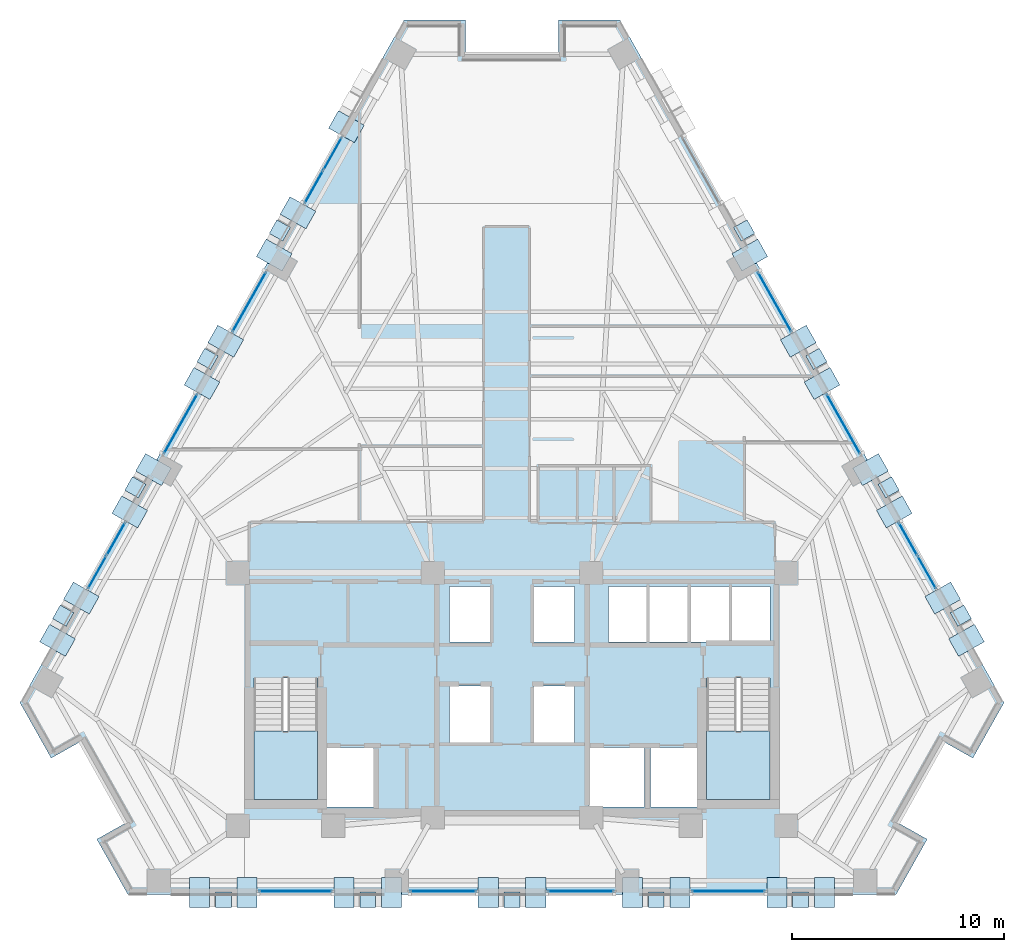
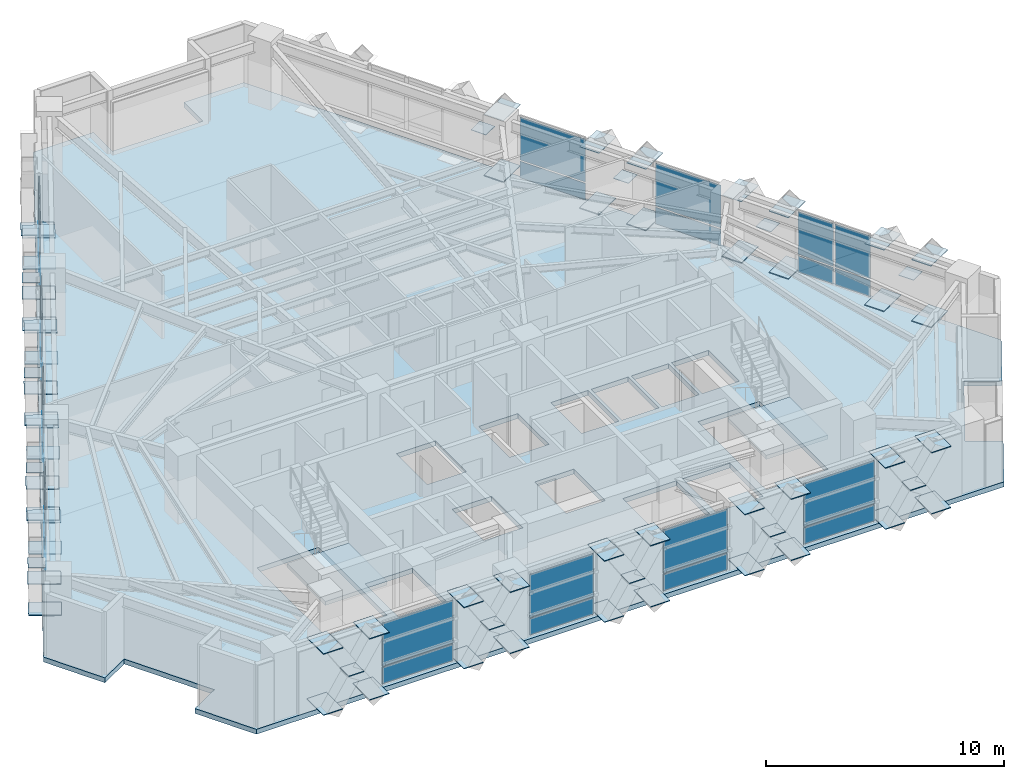
# One storey, part 6 of 14: 92 plates, 3 slabs, 13 elements without a shape of their own.
"""IFC4 building model written with IfcOpenShell, lengths in metres."""

from ifc_helpers import new_model, si_unit, direction, frame, origin, origin_2d, place, context, subcontext, project, spatial, polyline, rectangle, outline, extrude, material, layer, layer_set, type_object, element, aggregate, save


model = new_model("IFC4")

# Units and contexts
model_context = context("Model", 3, precision=1e-05, world=origin(), true_north=direction((0.0, 1.0)))
body_context = subcontext(model_context, "Body", "Model", "MODEL_VIEW")
ifc_project = project(units=[si_unit("LENGTHUNIT", "METRE"), si_unit("AREAUNIT", "SQUARE_METRE"), si_unit("VOLUMEUNIT", "CUBIC_METRE"), si_unit("PLANEANGLEUNIT", "RADIAN"), si_unit("MASSUNIT", "GRAM", prefix="KILO")], contexts=[model_context])

# Site, building, storey
site_placement = place(None, origin())
site = spatial("IfcSite", under=ifc_project, at=site_placement, CompositionType="ELEMENT")
building_placement = place(site_placement, origin())
building = spatial("IfcBuilding", under=site, at=building_placement, Name="Quenlor Broadcast Tower", CompositionType="ELEMENT")
storey_placement = place(building_placement, frame((0.0, 0.0, 102.0)))
storey = spatial("IfcBuildingStorey", under=building, at=storey_placement, Name="L27", CompositionType="ELEMENT", Elevation=102.0)

# Curtain wall, plates
ifc_material_1 = material(Name="Architectural Terracotta and Low-E Glazing", Category="masonry")
curtain_wall_type = type_object("IfcCurtainWallType", Name="Unitised Terracotta Curtain Wall System Z2", PredefinedType="NOTDEFINED", material=ifc_material_1)
curtain_wall_1_placement = place(storey_placement, origin())
curtain_wall_1 = element("IfcCurtainWall", 1, at=curtain_wall_1_placement, inside=storey, type_object=curtain_wall_type, Name="L27 Curtain Wall CW2 (L27-SA-G1)", PredefinedType="NOTDEFINED")
ifc_material_2 = material(Name="Double Glazed Low-E Solar Glass", Category="glass")
ifc_layer_1 = layer(ifc_material_2, 0.030029296875)
ifc_layer_set_1 = layer_set([ifc_layer_1], Name="CW2 Double Glazed Vision Panel 30")
plate_type_1 = type_object("IfcPlateType", Name="CW2 Double Glazed Vision Panel 30", PredefinedType="CURTAIN_PANEL", material=ifc_layer_set_1)
plate_1_placement = place(storey_placement, frame((10.226318359375, -19.840087890625, 0.074951171875), z_axis=(0.0, 0.0, 1.0), x_axis=(-1.0, 0.0, 0.0)))
plate_1 = element("IfcPlate", 2, at=plate_1_placement, type_object=plate_type_1, Name="CW2 panel 1.1", PredefinedType="CURTAIN_PANEL", context=body_context, shape_type="SweptSolid", body=[
    extrude(rectangle(XDim=3.435546875, YDim=0.030029296875, at=origin_2d()), origin(), (0.0, 0.0, 1.0), 0.83740234375),
])
plate_2_placement = place(storey_placement, frame((10.226318359375, -19.840087890625, 0.987548828125), z_axis=(0.0, 0.0, 1.0), x_axis=(-1.0, 0.0, 0.0)))
plate_2 = element("IfcPlate", 3, at=plate_2_placement, type_object=plate_type_1, Name="CW2 panel 1.2", PredefinedType="CURTAIN_PANEL", context=body_context, shape_type="SweptSolid", body=[
    extrude(rectangle(XDim=3.435546875, YDim=0.030029296875, at=origin_2d()), origin(), (0.0, 0.0, 1.0), 2.1875),
])
aggregate(curtain_wall_1, [plate_1, plate_2])

curtain_wall_2_placement = place(storey_placement, origin())
curtain_wall_2 = element("IfcCurtainWall", 4, at=curtain_wall_2_placement, inside=storey, type_object=curtain_wall_type, Name="L27 Curtain Wall CW2 (L27-SC-G1)", PredefinedType="NOTDEFINED")
plate_3_placement = place(storey_placement, frame((-10.226318359375, -19.840087890625, 0.074951171875), z_axis=(0.0, 0.0, 1.0), x_axis=(-1.0, 0.0, 0.0)))
plate_3 = element("IfcPlate", 5, at=plate_3_placement, type_object=plate_type_1, Name="CW2 panel 1.1", PredefinedType="CURTAIN_PANEL", context=body_context, shape_type="SweptSolid", body=[
    extrude(rectangle(XDim=3.435546875, YDim=0.030029296875, at=origin_2d()), origin(), (0.0, 0.0, 1.0), 0.83740234375),
])
plate_4_placement = place(storey_placement, frame((-10.226318359375, -19.840087890625, 0.987548828125), z_axis=(0.0, 0.0, 1.0), x_axis=(-1.0, 0.0, 0.0)))
plate_4 = element("IfcPlate", 6, at=plate_4_placement, type_object=plate_type_1, Name="CW2 panel 1.2", PredefinedType="CURTAIN_PANEL", context=body_context, shape_type="SweptSolid", body=[
    extrude(rectangle(XDim=3.435546875, YDim=0.030029296875, at=origin_2d()), origin(), (0.0, 0.0, 1.0), 2.1875),
])
aggregate(curtain_wall_2, [plate_3, plate_4])

curtain_wall_3_placement = place(storey_placement, origin())
curtain_wall_3 = element("IfcCurtainWall", 7, at=curtain_wall_3_placement, inside=storey, type_object=curtain_wall_type, Name="L27 Curtain Wall CW2 (L27-S-G1)", PredefinedType="NOTDEFINED")
plate_5_placement = place(storey_placement, frame((3.24462890625, -19.840087890625, 0.074951171875), z_axis=(0.0, 0.0, 1.0), x_axis=(-1.0, 0.0, 0.0)))
plate_5 = element("IfcPlate", 8, at=plate_5_placement, type_object=plate_type_1, Name="CW2 panel 1.1", PredefinedType="CURTAIN_PANEL", context=body_context, shape_type="SweptSolid", body=[
    extrude(rectangle(XDim=3.107177734375, YDim=0.030029296875, at=origin_2d()), origin(), (0.0, 0.0, 1.0), 0.83740234375),
])
plate_6_placement = place(storey_placement, frame((3.24462890625, -19.840087890625, 0.987548828125), z_axis=(0.0, 0.0, 1.0), x_axis=(-1.0, 0.0, 0.0)))
plate_6 = element("IfcPlate", 9, at=plate_6_placement, type_object=plate_type_1, Name="CW2 panel 1.2", PredefinedType="CURTAIN_PANEL", context=body_context, shape_type="SweptSolid", body=[
    extrude(rectangle(XDim=3.107177734375, YDim=0.030029296875, at=origin_2d()), origin(), (0.0, 0.0, 1.0), 2.1875),
])
aggregate(curtain_wall_3, [plate_5, plate_6])

curtain_wall_4_placement = place(storey_placement, origin())
curtain_wall_4 = element("IfcCurtainWall", 10, at=curtain_wall_4_placement, inside=storey, type_object=curtain_wall_type, Name="L27 Curtain Wall CW2 (L27-S-G2)", PredefinedType="NOTDEFINED")
plate_7_placement = place(storey_placement, frame((-3.24462890625, -19.840087890625, 0.074951171875), z_axis=(0.0, 0.0, 1.0), x_axis=(-1.0, 0.0, 0.0)))
plate_7 = element("IfcPlate", 11, at=plate_7_placement, type_object=plate_type_1, Name="CW2 panel 1.1", PredefinedType="CURTAIN_PANEL", context=body_context, shape_type="SweptSolid", body=[
    extrude(rectangle(XDim=3.107177734375, YDim=0.030029296875, at=origin_2d()), origin(), (0.0, 0.0, 1.0), 0.83740234375),
])
plate_8_placement = place(storey_placement, frame((-3.24462890625, -19.840087890625, 0.987548828125), z_axis=(0.0, 0.0, 1.0), x_axis=(-1.0, 0.0, 0.0)))
plate_8 = element("IfcPlate", 12, at=plate_8_placement, type_object=plate_type_1, Name="CW2 panel 1.2", PredefinedType="CURTAIN_PANEL", context=body_context, shape_type="SweptSolid", body=[
    extrude(rectangle(XDim=3.107177734375, YDim=0.030029296875, at=origin_2d()), origin(), (0.0, 0.0, 1.0), 2.1875),
])
aggregate(curtain_wall_4, [plate_7, plate_8])

curtain_wall_5_placement = place(storey_placement, origin())
curtain_wall_5 = element("IfcCurtainWall", 13, at=curtain_wall_5_placement, inside=storey, type_object=curtain_wall_type, Name="L27 Curtain Wall CW2 (L27-NEC-G1)", PredefinedType="NOTDEFINED")
plate_9_placement = place(storey_placement, frame((18.712646484375, -3.193359375, 0.074951171875), z_axis=(0.0, 0.0, 1.0), x_axis=(0.490276701018, -0.871566839915, 0.0)))
plate_9 = element("IfcPlate", 14, at=plate_9_placement, type_object=plate_type_1, Name="CW2 panel 1.1", PredefinedType="CURTAIN_PANEL", context=body_context, shape_type="SweptSolid", body=[
    extrude(rectangle(XDim=1.72998046875, YDim=0.030029296875, at=origin_2d()), origin(), (0.0, 0.0, 1.0), 0.83740234375),
])
plate_10_placement = place(storey_placement, frame((18.712646484375, -3.193359375, 0.987548828125), z_axis=(0.0, 0.0, 1.0), x_axis=(0.490276701018, -0.871566839915, 0.0)))
plate_10 = element("IfcPlate", 15, at=plate_10_placement, type_object=plate_type_1, Name="CW2 panel 1.2", PredefinedType="CURTAIN_PANEL", context=body_context, shape_type="SweptSolid", body=[
    extrude(rectangle(XDim=1.72998046875, YDim=0.030029296875, at=origin_2d()), origin(), (0.0, 0.0, 1.0), 2.1875),
])
plate_11_placement = place(storey_placement, frame((19.59765625, -4.7666015625, 0.074951171875), z_axis=(0.0, 0.0, 1.0), x_axis=(0.490276701018, -0.871566839915, 0.0)))
plate_11 = element("IfcPlate", 16, at=plate_11_placement, type_object=plate_type_1, Name="CW2 panel 2.1", PredefinedType="CURTAIN_PANEL", context=body_context, shape_type="SweptSolid", body=[
    extrude(rectangle(XDim=1.72998046875, YDim=0.030029296875, at=origin_2d()), origin(), (0.0, 0.0, 1.0), 0.83740234375),
])
plate_12_placement = place(storey_placement, frame((19.59765625, -4.7666015625, 0.987548828125), z_axis=(0.0, 0.0, 1.0), x_axis=(0.490276701018, -0.871566839915, 0.0)))
plate_12 = element("IfcPlate", 17, at=plate_12_placement, type_object=plate_type_1, Name="CW2 panel 2.2", PredefinedType="CURTAIN_PANEL", context=body_context, shape_type="SweptSolid", body=[
    extrude(rectangle(XDim=1.72998046875, YDim=0.030029296875, at=origin_2d()), origin(), (0.0, 0.0, 1.0), 2.1875),
])
aggregate(curtain_wall_5, [plate_9, plate_10, plate_11, plate_12])

curtain_wall_6_placement = place(storey_placement, origin())
curtain_wall_6 = element("IfcCurtainWall", 18, at=curtain_wall_6_placement, inside=storey, type_object=curtain_wall_type, Name="L27 Curtain Wall CW2 (L27-NE-G1)", PredefinedType="NOTDEFINED")
plate_13_placement = place(storey_placement, frame((12.412841796875, 8.00634765625, 0.074951171875), z_axis=(0.0, 0.0, 1.0), x_axis=(0.490261239636, -0.871575537123, 0.0)))
plate_13 = element("IfcPlate", 19, at=plate_13_placement, type_object=plate_type_1, Name="CW2 panel 1.1", PredefinedType="CURTAIN_PANEL", context=body_context, shape_type="SweptSolid", body=[
    extrude(rectangle(XDim=3.19287109375, YDim=0.030029296875, at=origin_2d()), origin(), (0.0, 0.0, 1.0), 0.83740234375),
])
plate_14_placement = place(storey_placement, frame((12.412841796875, 8.00634765625, 0.987548828125), z_axis=(0.0, 0.0, 1.0), x_axis=(0.490261239636, -0.871575537123, 0.0)))
plate_14 = element("IfcPlate", 20, at=plate_14_placement, type_object=plate_type_1, Name="CW2 panel 1.2", PredefinedType="CURTAIN_PANEL", context=body_context, shape_type="SweptSolid", body=[
    extrude(rectangle(XDim=3.19287109375, YDim=0.030029296875, at=origin_2d()), origin(), (0.0, 0.0, 1.0), 2.1875),
])
aggregate(curtain_wall_6, [plate_13, plate_14])

curtain_wall_7_placement = place(storey_placement, origin())
curtain_wall_7 = element("IfcCurtainWall", 21, at=curtain_wall_7_placement, inside=storey, type_object=curtain_wall_type, Name="L27 Curtain Wall CW2 (L27-NE-G2)", PredefinedType="NOTDEFINED")
plate_15_placement = place(storey_placement, frame((15.658203125, 2.23681640625, 0.074951171875), z_axis=(0.0, 0.0, 1.0), x_axis=(0.490261239636, -0.871575537123, 0.0)))
plate_15 = element("IfcPlate", 22, at=plate_15_placement, type_object=plate_type_1, Name="CW2 panel 1.1", PredefinedType="CURTAIN_PANEL", context=body_context, shape_type="SweptSolid", body=[
    extrude(rectangle(XDim=3.19287109375, YDim=0.030029296875, at=origin_2d()), origin(), (0.0, 0.0, 1.0), 0.83740234375),
])
plate_16_placement = place(storey_placement, frame((15.658203125, 2.23681640625, 0.987548828125), z_axis=(0.0, 0.0, 1.0), x_axis=(0.490261239636, -0.871575537123, 0.0)))
plate_16 = element("IfcPlate", 23, at=plate_16_placement, type_object=plate_type_1, Name="CW2 panel 1.2", PredefinedType="CURTAIN_PANEL", context=body_context, shape_type="SweptSolid", body=[
    extrude(rectangle(XDim=3.19287109375, YDim=0.030029296875, at=origin_2d()), origin(), (0.0, 0.0, 1.0), 2.1875),
])
aggregate(curtain_wall_7, [plate_15, plate_16])

curtain_wall_8_placement = place(storey_placement, origin())
curtain_wall_8 = element("IfcCurtainWall", 24, at=curtain_wall_8_placement, inside=storey, type_object=curtain_wall_type, Name="L27 Curtain Wall CW2 (L27-NWA-G1)", PredefinedType="NOTDEFINED")
plate_17_placement = place(storey_placement, frame((-19.59765625, -4.7666015625, 0.074951171875), z_axis=(0.0, 0.0, 1.0), x_axis=(0.490276701018, 0.871566839915, 0.0)))
plate_17 = element("IfcPlate", 25, at=plate_17_placement, type_object=plate_type_1, Name="CW2 panel 1.1", PredefinedType="CURTAIN_PANEL", context=body_context, shape_type="SweptSolid", body=[
    extrude(rectangle(XDim=1.72998046875, YDim=0.030029296875, at=origin_2d()), origin(), (0.0, 0.0, 1.0), 0.83740234375),
])
plate_18_placement = place(storey_placement, frame((-19.59765625, -4.7666015625, 0.987548828125), z_axis=(0.0, 0.0, 1.0), x_axis=(0.490276701018, 0.871566839915, 0.0)))
plate_18 = element("IfcPlate", 26, at=plate_18_placement, type_object=plate_type_1, Name="CW2 panel 1.2", PredefinedType="CURTAIN_PANEL", context=body_context, shape_type="SweptSolid", body=[
    extrude(rectangle(XDim=1.72998046875, YDim=0.030029296875, at=origin_2d()), origin(), (0.0, 0.0, 1.0), 2.1875),
])
plate_19_placement = place(storey_placement, frame((-18.712646484375, -3.193359375, 0.074951171875), z_axis=(0.0, 0.0, 1.0), x_axis=(0.490276701018, 0.871566839915, 0.0)))
plate_19 = element("IfcPlate", 27, at=plate_19_placement, type_object=plate_type_1, Name="CW2 panel 2.1", PredefinedType="CURTAIN_PANEL", context=body_context, shape_type="SweptSolid", body=[
    extrude(rectangle(XDim=1.72998046875, YDim=0.030029296875, at=origin_2d()), origin(), (0.0, 0.0, 1.0), 0.83740234375),
])
plate_20_placement = place(storey_placement, frame((-18.712646484375, -3.193359375, 0.987548828125), z_axis=(0.0, 0.0, 1.0), x_axis=(0.490276701018, 0.871566839915, 0.0)))
plate_20 = element("IfcPlate", 28, at=plate_20_placement, type_object=plate_type_1, Name="CW2 panel 2.2", PredefinedType="CURTAIN_PANEL", context=body_context, shape_type="SweptSolid", body=[
    extrude(rectangle(XDim=1.72998046875, YDim=0.030029296875, at=origin_2d()), origin(), (0.0, 0.0, 1.0), 2.1875),
])
aggregate(curtain_wall_8, [plate_17, plate_18, plate_19, plate_20])

curtain_wall_9_placement = place(storey_placement, origin())
curtain_wall_9 = element("IfcCurtainWall", 29, at=curtain_wall_9_placement, inside=storey, type_object=curtain_wall_type, Name="L27 Curtain Wall CW2 (L27-NWC-G1)", PredefinedType="NOTDEFINED")
plate_21_placement = place(storey_placement, frame((-9.3583984375, 13.4365234375, 0.074951171875), z_axis=(0.0, 0.0, 1.0), x_axis=(0.490265104904, 0.871573362898, 0.0)))
plate_21 = element("IfcPlate", 30, at=plate_21_placement, type_object=plate_type_1, Name="CW2 panel 1.1", PredefinedType="CURTAIN_PANEL", context=body_context, shape_type="SweptSolid", body=[
    extrude(rectangle(XDim=1.72998046875, YDim=0.030029296875, at=origin_2d()), origin(), (0.0, 0.0, 1.0), 0.83740234375),
])
plate_22_placement = place(storey_placement, frame((-9.3583984375, 13.4365234375, 0.987548828125), z_axis=(0.0, 0.0, 1.0), x_axis=(0.490265104904, 0.871573362898, 0.0)))
plate_22 = element("IfcPlate", 31, at=plate_22_placement, type_object=plate_type_1, Name="CW2 panel 1.2", PredefinedType="CURTAIN_PANEL", context=body_context, shape_type="SweptSolid", body=[
    extrude(rectangle(XDim=1.72998046875, YDim=0.030029296875, at=origin_2d()), origin(), (0.0, 0.0, 1.0), 2.1875),
])
plate_23_placement = place(storey_placement, frame((-8.473388671875, 15.009765625, 0.074951171875), z_axis=(0.0, 0.0, 1.0), x_axis=(0.490265104904, 0.871573362898, 0.0)))
plate_23 = element("IfcPlate", 32, at=plate_23_placement, type_object=plate_type_1, Name="CW2 panel 2.1", PredefinedType="CURTAIN_PANEL", context=body_context, shape_type="SweptSolid", body=[
    extrude(rectangle(XDim=1.72998046875, YDim=0.030029296875, at=origin_2d()), origin(), (0.0, 0.0, 1.0), 0.83740234375),
])
plate_24_placement = place(storey_placement, frame((-8.473388671875, 15.009765625, 0.987548828125), z_axis=(0.0, 0.0, 1.0), x_axis=(0.490265104904, 0.871573362898, 0.0)))
plate_24 = element("IfcPlate", 33, at=plate_24_placement, type_object=plate_type_1, Name="CW2 panel 2.2", PredefinedType="CURTAIN_PANEL", context=body_context, shape_type="SweptSolid", body=[
    extrude(rectangle(XDim=1.72998046875, YDim=0.030029296875, at=origin_2d()), origin(), (0.0, 0.0, 1.0), 2.1875),
])
aggregate(curtain_wall_9, [plate_21, plate_22, plate_23, plate_24])

curtain_wall_10_placement = place(storey_placement, origin())
curtain_wall_10 = element("IfcCurtainWall", 34, at=curtain_wall_10_placement, inside=storey, type_object=curtain_wall_type, Name="L27 Curtain Wall CW2 (L27-NW-G1)", PredefinedType="NOTDEFINED")
plate_25_placement = place(storey_placement, frame((-15.658203125, 2.23681640625, 0.074951171875), z_axis=(0.0, 0.0, 1.0), x_axis=(0.490261239636, 0.871575537123, 0.0)))
plate_25 = element("IfcPlate", 35, at=plate_25_placement, type_object=plate_type_1, Name="CW2 panel 1.1", PredefinedType="CURTAIN_PANEL", context=body_context, shape_type="SweptSolid", body=[
    extrude(rectangle(XDim=3.19287109375, YDim=0.030029296875, at=origin_2d()), origin(), (0.0, 0.0, 1.0), 0.83740234375),
])
plate_26_placement = place(storey_placement, frame((-15.658203125, 2.23681640625, 0.987548828125), z_axis=(0.0, 0.0, 1.0), x_axis=(0.490261239636, 0.871575537123, 0.0)))
plate_26 = element("IfcPlate", 36, at=plate_26_placement, type_object=plate_type_1, Name="CW2 panel 1.2", PredefinedType="CURTAIN_PANEL", context=body_context, shape_type="SweptSolid", body=[
    extrude(rectangle(XDim=3.19287109375, YDim=0.030029296875, at=origin_2d()), origin(), (0.0, 0.0, 1.0), 2.1875),
])
aggregate(curtain_wall_10, [plate_25, plate_26])

curtain_wall_11_placement = place(storey_placement, origin())
curtain_wall_11 = element("IfcCurtainWall", 37, at=curtain_wall_11_placement, inside=storey, type_object=curtain_wall_type, Name="L27 Curtain Wall CW2 (L27-NW-G2)", PredefinedType="NOTDEFINED")
plate_27_placement = place(storey_placement, frame((-12.412841796875, 8.00634765625, 0.074951171875), z_axis=(0.0, 0.0, 1.0), x_axis=(0.490261239636, 0.871575537123, 0.0)))
plate_27 = element("IfcPlate", 38, at=plate_27_placement, type_object=plate_type_1, Name="CW2 panel 1.1", PredefinedType="CURTAIN_PANEL", context=body_context, shape_type="SweptSolid", body=[
    extrude(rectangle(XDim=3.19287109375, YDim=0.030029296875, at=origin_2d()), origin(), (0.0, 0.0, 1.0), 0.83740234375),
])
plate_28_placement = place(storey_placement, frame((-12.412841796875, 8.00634765625, 0.987548828125), z_axis=(0.0, 0.0, 1.0), x_axis=(0.490261239636, 0.871575537123, 0.0)))
plate_28 = element("IfcPlate", 39, at=plate_28_placement, type_object=plate_type_1, Name="CW2 panel 1.2", PredefinedType="CURTAIN_PANEL", context=body_context, shape_type="SweptSolid", body=[
    extrude(rectangle(XDim=3.19287109375, YDim=0.030029296875, at=origin_2d()), origin(), (0.0, 0.0, 1.0), 2.1875),
])
aggregate(curtain_wall_11, [plate_27, plate_28])

# Plates
ifc_material_3 = material(Name="Steel S355", Category="steel")
ifc_layer_2 = layer(ifc_material_3, 0.028076171875)
ifc_layer_set_2 = layer_set([ifc_layer_2], Name="Perimeter Lattice Node Steel S355 Cap Plate 740x740x28")
plate_type_2 = type_object("IfcPlateType", Name="Perimeter Lattice Node Steel S355 Cap Plate 740x740x28", PredefinedType="USERDEFINED", material=ifc_layer_set_2)
for number, where, z_axis, x_axis, name in (
    (40, (13.63525390625, -20.235107421875, 1.61572265625), (0.0, 0.0, 1.0), (-1.0, 0.0, 0.0), "L27 Diamond Lattice Crossing Node S-C1"),
    (41, (6.817626953125, -20.235107421875, 1.61572265625), (0.0, 0.0, 1.0), (-1.0, 0.0, 0.0), "L27 Diamond Lattice Crossing Node S-C2"),
    (42, (0.0, -20.235107421875, 1.61572265625), (0.0, 0.0, 1.0), (-1.0, 0.0, 0.0), "L27 Diamond Lattice Crossing Node S-C3"),
    (43, (-6.817626953125, -20.235107421875, 1.61572265625), (0.0, 0.0, 1.0), (-1.0, 0.0, 0.0), "L27 Diamond Lattice Crossing Node S-C4"),
    (44, (-13.63525390625, -20.235107421875, 1.61572265625), (0.0, 0.0, 1.0), (-1.0, 0.0, 0.0), "L27 Diamond Lattice Crossing Node S-C5"),
    (45, (10.966796875, 11.383056640625, 1.61572265625), (0.0, 0.0, 1.0), (0.490295412055, -0.871556314255, 0.0), "L27 Diamond Lattice Crossing Node NE-C2"),
    (46, (14.3798828125, 5.315185546875, 1.61572265625), (0.0, 0.0, 1.0), (0.490295412055, -0.871556314255, 0.0), "L27 Diamond Lattice Crossing Node NE-C3"),
    (47, (17.79296875, -0.75244140625, 1.61572265625), (0.0, 0.0, 1.0), (0.490295412055, -0.871556314255, 0.0), "L27 Diamond Lattice Crossing Node NE-C4"),
    (48, (21.2060546875, -6.820068359375, 1.61572265625), (0.0, 0.0, 1.0), (0.490295412055, -0.871556314255, 0.0), "L27 Diamond Lattice Crossing Node NE-C5"),
    (49, (-21.2060546875, -6.820068359375, 1.61572265625), (0.0, 0.0, 1.0), (0.490295412055, 0.871556314255, 0.0), "L27 Diamond Lattice Crossing Node NW-C1"),
    (50, (-17.79296875, -0.75244140625, 1.61572265625), (0.0, 0.0, 1.0), (0.490295412055, 0.871556314255, 0.0), "L27 Diamond Lattice Crossing Node NW-C2"),
    (51, (-14.3798828125, 5.315185546875, 1.61572265625), (0.0, 0.0, 1.0), (0.490295412055, 0.871556314255, 0.0), "L27 Diamond Lattice Crossing Node NW-C3"),
    (52, (-10.966796875, 11.383056640625, 1.61572265625), (0.0, 0.0, 1.0), (0.490295412055, 0.871556314255, 0.0), "L27 Diamond Lattice Crossing Node NW-C4"),
):
    element("IfcPlate", number, at=place(storey_placement, frame(where, z_axis=z_axis, x_axis=x_axis)), inside=storey, type_object=plate_type_2, Name=name, ObjectType="CAP PLATE", PredefinedType="USERDEFINED", context=body_context, shape_type="SweptSolid", body=[
        extrude(rectangle(XDim=0.739990234375, YDim=0.739990234375, at=origin_2d()), origin(), (0.0, 0.0, 1.0), 0.028076171875),
    ])

# Stair, slab
ifc_material_4 = material(Name="Precast concrete C40/50", Category="concrete")
stair_type = type_object("IfcStairType", Name="Precast Concrete C40/50 Dogleg Stair H350", PredefinedType="HALF_TURN_STAIR", material=ifc_material_4)
stair_1_placement = place(storey_placement, origin())
stair_1 = element("IfcStair", 53, at=stair_1_placement, inside=storey, type_object=stair_type, Name="L27 West Core Fire-Isolated Exit Stair ST-1", PredefinedType="HALF_TURN_STAIR")
ifc_material_5 = material(Name="Precast concrete C40/50", Category="concrete")
ifc_layer_3 = layer(ifc_material_5, 0.199951171875)
ifc_layer_set_3 = layer_set([ifc_layer_3], Name="Precast Concrete C40/50 Stair Landing Slab 200")
slab_type_1 = type_object("IfcSlabType", Name="Precast Concrete C40/50 Stair Landing Slab 200", PredefinedType="LANDING", material=ifc_layer_set_3)
slab_1_placement = place(storey_placement, frame((0.0, 0.0, 1.550048828125)))
slab_1 = element("IfcSlab", 54, at=slab_1_placement, type_object=slab_type_1, Name="ST-1 landing 1", PredefinedType="LANDING", context=body_context, shape_type="SweptSolid", body=[
    extrude(outline(polyline([(-12.199951171875, -12.27001953125), (-12.199951171875, -15.5), (-9.199951171875, -15.5), (-9.199951171875, -12.27001953125), (-12.199951171875, -12.27001953125)])), origin(), (0.0, 0.0, 1.0), 0.199951171875),
])
aggregate(stair_1, [slab_1])

stair_2_placement = place(storey_placement, origin())
stair_2 = element("IfcStair", 55, at=stair_2_placement, inside=storey, type_object=stair_type, Name="L27 East Core Fire-Isolated Exit Stair ST-2", PredefinedType="HALF_TURN_STAIR")
slab_2_placement = place(storey_placement, frame((0.0, 0.0, 1.550048828125)))
slab_2 = element("IfcSlab", 56, at=slab_2_placement, type_object=slab_type_1, Name="ST-2 landing 1", PredefinedType="LANDING", context=body_context, shape_type="SweptSolid", body=[
    extrude(outline(polyline([(9.199951171875, -12.27001953125), (9.199951171875, -15.5), (12.199951171875, -15.5), (12.199951171875, -12.27001953125), (9.199951171875, -12.27001953125)])), origin(), (0.0, 0.0, 1.0), 0.199951171875),
])
aggregate(stair_2, [slab_2])

# Slab
ifc_material_6 = material(Name="Concrete C40/50", Category="concrete")
ifc_layer_4 = layer(ifc_material_6, 0.25)
ifc_layer_set_4 = layer_set([ifc_layer_4], Name="Tower Composite Concrete C40/50 Slab 250")
slab_type_2 = type_object("IfcSlabType", Name="Tower Composite Concrete C40/50 Slab 250", PredefinedType="FLOOR", material=ifc_layer_set_4)
slab_3_placement = place(storey_placement, frame((0.0, 0.0, -0.25)))
element("IfcSlab", 57, at=slab_3_placement, inside=storey, type_object=slab_type_2, Name="L27 Structural Floor Slab", PredefinedType="FLOOR", context=body_context, shape_type="SweptSolid", body=[
    extrude(outline(polyline([(18.14404296875, -20.0), (19.616943359375, -17.381591796875), (18.222412109375, -16.596923828125), (20.379638671875, -12.76220703125), (21.774169921875, -13.54638671875), (23.2470703125, -10.927978515625), (5.10302734375, 21.327880859375), (2.199951171875, 21.327880859375), (2.199951171875, 19.72802734375), (-2.199951171875, 19.72802734375), (-2.199951171875, 21.327880859375), (-5.10302734375, 21.327880859375), (-23.2470703125, -10.927978515625), (-21.774169921875, -13.54638671875), (-20.379638671875, -12.76220703125), (-18.222412109375, -16.596923828125), (-19.616943359375, -17.381591796875), (-18.14404296875, -20.0), (18.14404296875, -20.0)]), holes=[polyline([(-12.199951171875, -9.758056640625), (-12.199951171875, -15.5), (-9.199951171875, -15.5), (-9.199951171875, -9.758056640625), (-12.199951171875, -9.758056640625)]), polyline([(9.199951171875, -9.758056640625), (9.199951171875, -15.5), (12.199951171875, -15.5), (12.199951171875, -9.758056640625), (9.199951171875, -9.758056640625)]), polyline([(-2.949951171875, -8.050048828125), (-1.050048828125, -8.050048828125), (-1.050048828125, -5.449951171875), (-2.949951171875, -5.449951171875), (-2.949951171875, -8.050048828125)]), polyline([(1.050048828125, -8.050048828125), (2.949951171875, -8.050048828125), (2.949951171875, -5.449951171875), (1.050048828125, -5.449951171875), (1.050048828125, -8.050048828125)]), polyline([(-2.949951171875, -12.800048828125), (-1.050048828125, -12.800048828125), (-1.050048828125, -10.14990234375), (-2.949951171875, -10.14990234375), (-2.949951171875, -12.800048828125)]), polyline([(1.050048828125, -12.800048828125), (2.949951171875, -12.800048828125), (2.949951171875, -10.14990234375), (1.050048828125, -10.14990234375), (1.050048828125, -12.800048828125)]), polyline([(4.550048828125, -8.050048828125), (6.35009765625, -8.050048828125), (6.35009765625, -5.449951171875), (4.550048828125, -5.449951171875), (4.550048828125, -8.050048828125)]), polyline([(6.5, -8.050048828125), (8.300048828125, -8.050048828125), (8.300048828125, -5.449951171875), (6.5, -5.449951171875), (6.5, -8.050048828125)]), polyline([(8.449951171875, -8.050048828125), (10.25, -8.050048828125), (10.25, -5.449951171875), (8.449951171875, -5.449951171875), (8.449951171875, -8.050048828125)]), polyline([(10.39990234375, -8.050048828125), (12.199951171875, -8.050048828125), (12.199951171875, -5.449951171875), (10.39990234375, -5.449951171875), (10.39990234375, -8.050048828125)]), polyline([(-8.85009765625, -15.85009765625), (-6.550048828125, -15.85009765625), (-6.550048828125, -13.050048828125), (-8.85009765625, -13.050048828125), (-8.85009765625, -15.85009765625)]), polyline([(6.550048828125, -15.85009765625), (8.85009765625, -15.85009765625), (8.85009765625, -13.050048828125), (6.550048828125, -13.050048828125), (6.550048828125, -15.85009765625)]), polyline([(3.64990234375, -15.85009765625), (6.25, -15.85009765625), (6.25, -13.050048828125), (3.64990234375, -13.050048828125), (3.64990234375, -15.85009765625)])]), origin(), (0.0, 0.0, 1.0), 0.25),
])

# Plates
ifc_material_7 = material(Name="Steel S355", Category="steel")
ifc_layer_5 = layer(ifc_material_7, 0.035888671875)
ifc_layer_set_5 = layer_set([ifc_layer_5], Name="Transfer Truss Steel S355 Gusset Node Plate 1400x950x36")
plate_type_3 = type_object("IfcPlateType", Name="Transfer Truss Steel S355 Gusset Node Plate 1400x950x36", PredefinedType="SHEET", material=ifc_layer_set_5)
for number, where, z_axis, x_axis, name in (
    (58, (14.7578125, -19.89990234375, 0.0419921875), (0.0, 0.0, 1.0), (0.0, -1.0, 0.0), "L27 Lattice Tie Gusset Node S-B1"),
    (59, (12.5126953125, -19.89990234375, 3.18212890625), (0.0, 0.0, 1.0), (0.0, -1.0, 0.0), "L27 Lattice Tie Gusset Node S-T2"),
    (60, (12.5126953125, -19.89990234375, 0.0419921875), (0.0, 0.0, 1.0), (0.0, -1.0, 0.0), "L27 Lattice Tie Gusset Node S-B2"),
    (61, (14.7578125, -19.89990234375, 3.18212890625), (0.0, 0.0, 1.0), (0.0, -1.0, 0.0), "L27 Lattice Tie Gusset Node S-T1"),
    (62, (7.940185546875, -19.89990234375, 0.0419921875), (0.0, 0.0, 1.0), (0.0, -1.0, 0.0), "L27 Lattice Tie Gusset Node S-B4"),
    (63, (5.695068359375, -19.89990234375, 3.18212890625), (0.0, 0.0, 1.0), (0.0, -1.0, 0.0), "L27 Lattice Tie Gusset Node S-T5"),
    (64, (5.695068359375, -19.89990234375, 0.0419921875), (0.0, 0.0, 1.0), (0.0, -1.0, 0.0), "L27 Lattice Tie Gusset Node S-B5"),
    (65, (7.940185546875, -19.89990234375, 3.18212890625), (0.0, 0.0, 1.0), (0.0, -1.0, 0.0), "L27 Lattice Tie Gusset Node S-T4"),
    (66, (1.12255859375, -19.89990234375, 0.0419921875), (0.0, 0.0, 1.0), (0.0, -1.0, 0.0), "L27 Lattice Tie Gusset Node S-B7"),
    (67, (-1.12255859375, -19.89990234375, 3.18212890625), (0.0, 0.0, 1.0), (0.0, -1.0, 0.0), "L27 Lattice Tie Gusset Node S-T8"),
    (68, (-1.12255859375, -19.89990234375, 0.0419921875), (0.0, 0.0, 1.0), (0.0, -1.0, 0.0), "L27 Lattice Tie Gusset Node S-B8"),
    (69, (1.12255859375, -19.89990234375, 3.18212890625), (0.0, 0.0, 1.0), (0.0, -1.0, 0.0), "L27 Lattice Tie Gusset Node S-T7"),
    (70, (-5.695068359375, -19.89990234375, 0.0419921875), (0.0, 0.0, 1.0), (0.0, -1.0, 0.0), "L27 Lattice Tie Gusset Node S-B10"),
    (71, (-7.940185546875, -19.89990234375, 3.18212890625), (0.0, 0.0, 1.0), (0.0, -1.0, 0.0), "L27 Lattice Tie Gusset Node S-T11"),
    (72, (-7.940185546875, -19.89990234375, 0.0419921875), (0.0, 0.0, 1.0), (0.0, -1.0, 0.0), "L27 Lattice Tie Gusset Node S-B11"),
    (73, (-5.695068359375, -19.89990234375, 3.18212890625), (0.0, 0.0, 1.0), (0.0, -1.0, 0.0), "L27 Lattice Tie Gusset Node S-T10"),
    (74, (-12.5126953125, -19.89990234375, 0.0419921875), (0.0, 0.0, 1.0), (0.0, -1.0, 0.0), "L27 Lattice Tie Gusset Node S-B13"),
    (75, (-14.7578125, -19.89990234375, 3.18212890625), (0.0, 0.0, 1.0), (0.0, -1.0, 0.0), "L27 Lattice Tie Gusset Node S-T14"),
    (76, (-14.7578125, -19.89990234375, 0.0419921875), (0.0, 0.0, 1.0), (0.0, -1.0, 0.0), "L27 Lattice Tie Gusset Node S-B14"),
    (77, (-12.5126953125, -19.89990234375, 3.18212890625), (0.0, 0.0, 1.0), (0.0, -1.0, 0.0), "L27 Lattice Tie Gusset Node S-T13"),
    (78, (11.23681640625, 10.219482421875, 3.18212890625), (0.0, 0.0, 1.0), (0.871556314255, 0.490295412055, 0.0), "L27 Lattice Tie Gusset Node NE-T5"),
    (79, (11.23681640625, 10.219482421875, 0.0419921875), (0.0, 0.0, 1.0), (0.871556314255, 0.490295412055, 0.0), "L27 Lattice Tie Gusset Node NE-B5"),
    (80, (13.52587890625, 6.150146484375, 0.0419921875), (0.0, 0.0, 1.0), (0.871556314255, 0.490295412055, 0.0), "L27 Lattice Tie Gusset Node NE-B7"),
    (81, (14.64990234375, 4.15185546875, 3.18212890625), (0.0, 0.0, 1.0), (0.871556314255, 0.490295412055, 0.0), "L27 Lattice Tie Gusset Node NE-T8"),
    (82, (14.64990234375, 4.15185546875, 0.0419921875), (0.0, 0.0, 1.0), (0.871556314255, 0.490295412055, 0.0), "L27 Lattice Tie Gusset Node NE-B8"),
    (83, (13.52587890625, 6.150146484375, 3.18212890625), (0.0, 0.0, 1.0), (0.871556314255, 0.490295412055, 0.0), "L27 Lattice Tie Gusset Node NE-T7"),
    (84, (16.93896484375, 0.08251953125, 0.0419921875), (0.0, 0.0, 1.0), (0.871556314255, 0.490295412055, 0.0), "L27 Lattice Tie Gusset Node NE-B10"),
    (85, (18.06298828125, -1.915771484375, 3.18212890625), (0.0, 0.0, 1.0), (0.871556314255, 0.490295412055, 0.0), "L27 Lattice Tie Gusset Node NE-T11"),
    (86, (18.06298828125, -1.915771484375, 0.0419921875), (0.0, 0.0, 1.0), (0.871556314255, 0.490295412055, 0.0), "L27 Lattice Tie Gusset Node NE-B11"),
    (87, (16.93896484375, 0.08251953125, 3.18212890625), (0.0, 0.0, 1.0), (0.871556314255, 0.490295412055, 0.0), "L27 Lattice Tie Gusset Node NE-T10"),
    (88, (20.351806640625, -5.985107421875, 0.0419921875), (0.0, 0.0, 1.0), (0.871556314255, 0.490295412055, 0.0), "L27 Lattice Tie Gusset Node NE-B13"),
    (89, (21.47607421875, -7.9833984375, 3.18212890625), (0.0, 0.0, 1.0), (0.871556314255, 0.490295412055, 0.0), "L27 Lattice Tie Gusset Node NE-T14"),
    (90, (21.47607421875, -7.9833984375, 0.0419921875), (0.0, 0.0, 1.0), (0.871556314255, 0.490295412055, 0.0), "L27 Lattice Tie Gusset Node NE-B14"),
    (91, (20.351806640625, -5.985107421875, 3.18212890625), (0.0, 0.0, 1.0), (0.871556314255, 0.490295412055, 0.0), "L27 Lattice Tie Gusset Node NE-T13"),
    (92, (-21.47607421875, -7.9833984375, 0.0419921875), (0.0, 0.0, 1.0), (-0.871556314255, 0.490295412055, 0.0), "L27 Lattice Tie Gusset Node NW-B1"),
    (93, (-20.351806640625, -5.985107421875, 3.18212890625), (0.0, 0.0, 1.0), (-0.871556314255, 0.490295412055, 0.0), "L27 Lattice Tie Gusset Node NW-T2"),
    (94, (-20.351806640625, -5.985107421875, 0.0419921875), (0.0, 0.0, 1.0), (-0.871556314255, 0.490295412055, 0.0), "L27 Lattice Tie Gusset Node NW-B2"),
    (95, (-21.47607421875, -7.9833984375, 3.18212890625), (0.0, 0.0, 1.0), (-0.871556314255, 0.490295412055, 0.0), "L27 Lattice Tie Gusset Node NW-T1"),
    (96, (-18.06298828125, -1.915771484375, 0.0419921875), (0.0, 0.0, 1.0), (-0.871556314255, 0.490295412055, 0.0), "L27 Lattice Tie Gusset Node NW-B4"),
    (97, (-16.93896484375, 0.08251953125, 3.18212890625), (0.0, 0.0, 1.0), (-0.871556314255, 0.490295412055, 0.0), "L27 Lattice Tie Gusset Node NW-T5"),
    (98, (-16.93896484375, 0.08251953125, 0.0419921875), (0.0, 0.0, 1.0), (-0.871556314255, 0.490295412055, 0.0), "L27 Lattice Tie Gusset Node NW-B5"),
    (99, (-18.06298828125, -1.915771484375, 3.18212890625), (0.0, 0.0, 1.0), (-0.871556314255, 0.490295412055, 0.0), "L27 Lattice Tie Gusset Node NW-T4"),
    (100, (-14.64990234375, 4.15185546875, 0.0419921875), (0.0, 0.0, 1.0), (-0.871556314255, 0.490295412055, 0.0), "L27 Lattice Tie Gusset Node NW-B7"),
    (101, (-13.52587890625, 6.150146484375, 3.18212890625), (0.0, 0.0, 1.0), (-0.871556314255, 0.490295412055, 0.0), "L27 Lattice Tie Gusset Node NW-T8"),
    (102, (-13.52587890625, 6.150146484375, 0.0419921875), (0.0, 0.0, 1.0), (-0.871556314255, 0.490295412055, 0.0), "L27 Lattice Tie Gusset Node NW-B8"),
    (103, (-14.64990234375, 4.15185546875, 3.18212890625), (0.0, 0.0, 1.0), (-0.871556314255, 0.490295412055, 0.0), "L27 Lattice Tie Gusset Node NW-T7"),
    (104, (-11.23681640625, 10.219482421875, 0.0419921875), (0.0, 0.0, 1.0), (-0.871556314255, 0.490295412055, 0.0), "L27 Lattice Tie Gusset Node NW-B10"),
    (105, (-10.11279296875, 12.218017578125, 3.18212890625), (0.0, 0.0, 1.0), (-0.871556314255, 0.490295412055, 0.0), "L27 Lattice Tie Gusset Node NW-T11"),
    (106, (-10.11279296875, 12.218017578125, 0.0419921875), (0.0, 0.0, 1.0), (-0.871556314255, 0.490295412055, 0.0), "L27 Lattice Tie Gusset Node NW-B11"),
    (107, (-11.23681640625, 10.219482421875, 3.18212890625), (0.0, 0.0, 1.0), (-0.871556314255, 0.490295412055, 0.0), "L27 Lattice Tie Gusset Node NW-T10"),
    (108, (-7.823486328125, 16.287353515625, 0.0419921875), (0.0, 0.0, 1.0), (-0.871556314255, 0.490295412055, 0.0), "L27 Lattice Tie Gusset Node NW-B13"),
):
    element("IfcPlate", number, at=place(storey_placement, frame(where, z_axis=z_axis, x_axis=x_axis)), inside=storey, type_object=plate_type_3, Name=name, PredefinedType="SHEET", context=body_context, shape_type="SweptSolid", body=[
        extrude(rectangle(XDim=1.39990234375, YDim=0.949951171875, at=origin_2d()), origin(), (0.0, 0.0, 1.0), 0.035888671875),
    ])

save(model, "model.ifc")
